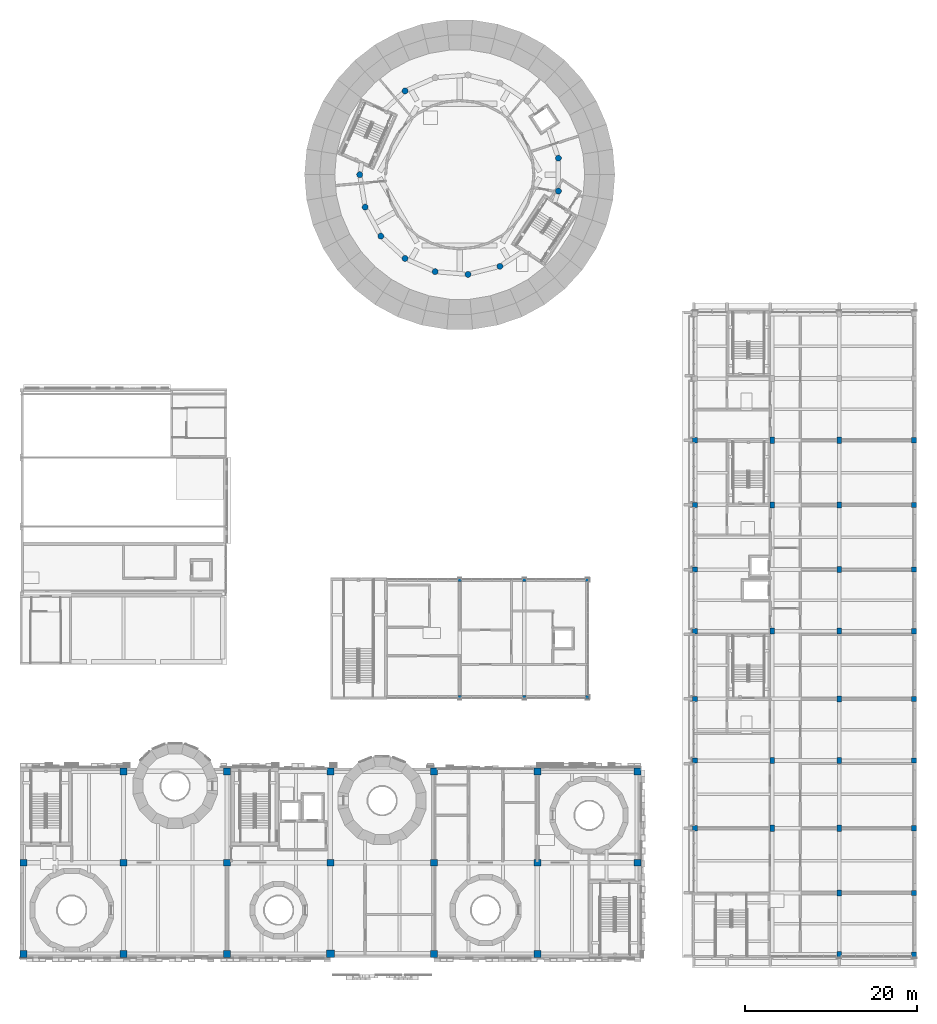
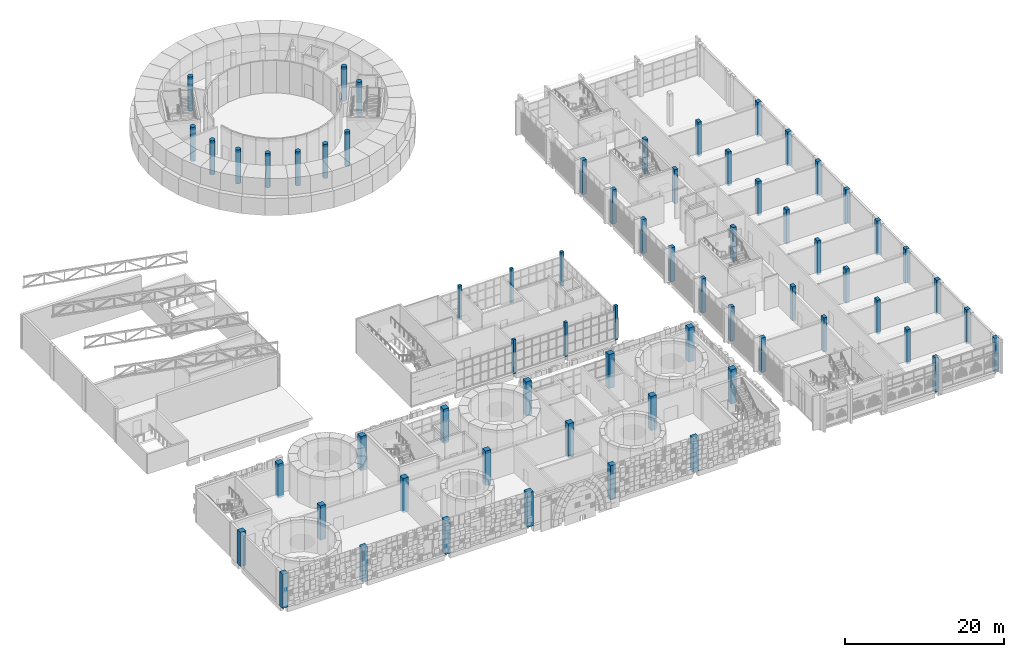
# One storey, part 1 of 125: 65 columns.
"""IFC4 building model written with IfcOpenShell, lengths in metres."""

from ifc_helpers import new_model, si_unit, direction, frame, origin, origin_2d, place, context, subcontext, project, spatial, rectangle, circle, extrude, material, material_profile, profile_set, type_object, element, save


model = new_model("IFC4")

# Units and contexts
model_context = context("Model", 3, precision=1e-05, world=origin(), true_north=direction((0.0, 1.0)))
body_context = subcontext(model_context, "Body", "Model", "MODEL_VIEW")
ifc_project = project(units=[si_unit("LENGTHUNIT", "METRE"), si_unit("AREAUNIT", "SQUARE_METRE"), si_unit("VOLUMEUNIT", "CUBIC_METRE"), si_unit("PLANEANGLEUNIT", "RADIAN"), si_unit("MASSUNIT", "GRAM", prefix="KILO")], contexts=[model_context])

# Site, building, storey
site_placement = place(None, origin())
site = spatial("IfcSite", under=ifc_project, at=site_placement, CompositionType="ELEMENT")
building_placement = place(site_placement, origin())
building = spatial("IfcBuilding", under=site, at=building_placement, Name="Sun Court Science Centre", CompositionType="ELEMENT")
storey_placement = place(building_placement, frame((0.0, 0.0, 6.0)))
storey = spatial("IfcBuildingStorey", under=building, at=storey_placement, Name="L01", CompositionType="ELEMENT", Elevation=6.0)

# Columns
ifc_material_1 = material(Name="Concrete C30/37", Category="concrete")
ifc_material_profile_1 = material_profile(ifc_material_1, rectangle(XDim=0.39990234375, YDim=0.39990234375, at=origin_2d()), Name="RC 400x400")
ifc_profile_set_1 = profile_set([ifc_material_profile_1], Name="Concrete C30/37")
column_type_1 = type_object("IfcColumnType", Name="RC column 400x400", PredefinedType="COLUMN", material=ifc_profile_set_1)
for number, where, z_axis, x_axis, name in (
    (1, (51.0, 36.199951171875, -0.300048828125), (0.0, 0.0, 1.0), (1.0, 0.0, 0.0), "Column 7G L01"),
    (2, (51.0, 49.800048828125, -0.300048828125), (0.0, 0.0, 1.0), (1.0, 0.0, 0.0), "Column 750 L01"),
    (3, (58.5, 36.199951171875, -0.300048828125), (0.0, 0.0, 1.0), (1.0, 0.0, 0.0), "Column 8G L01"),
    (4, (58.5, 49.800048828125, -0.300048828125), (0.0, 0.0, 1.0), (1.0, 0.0, 0.0), "Column 850 L01"),
    (5, (65.800048828125, 36.199951171875, -0.300048828125), (0.0, 0.0, 1.0), (1.0, 0.0, 0.0), "Column 10G L01"),
    (6, (65.800048828125, 49.800048828125, -0.300048828125), (0.0, 0.0, 1.0), (1.0, 0.0, 0.0), "Column 1050 L01"),
):
    element("IfcColumn", number, at=place(storey_placement, frame(where, z_axis=z_axis, x_axis=x_axis)), inside=storey, type_object=column_type_1, Name=name, PredefinedType="COLUMN", context=body_context, shape_type="SweptSolid", body=[
        extrude(rectangle(XDim=0.39990234375, YDim=0.39990234375, at=origin_2d()), origin(), (0.0, 0.0, 1.0), 5.25),
    ])
ifc_material_2 = material(Name="Concrete C30/37", Category="concrete")
ifc_material_profile_2 = material_profile(ifc_material_2, rectangle(XDim=0.5, YDim=0.699951171875, at=origin_2d()), Name="RC 500x700")
ifc_profile_set_2 = profile_set([ifc_material_profile_2], Name="Concrete C30/37")
column_type_2 = type_object("IfcColumnType", Name="RC column 500x700", PredefinedType="COLUMN", material=ifc_profile_set_2)
for number, where, z_axis, x_axis, name in (
    (7, (87.25, 21.0, -0.300048828125), (0.0, 0.0, 1.0), (1.0, 0.0, 0.0), "Column 14D L01"),
    (8, (87.25, 28.85009765625, -0.300048828125), (0.0, 0.0, 1.0), (1.0, 0.0, 0.0), "Column 14F L01"),
    (9, (87.25, 43.85009765625, -0.300048828125), (0.0, 0.0, 1.0), (1.0, 0.0, 0.0), "Column 14J L01"),
    (10, (87.25, 58.5, -0.300048828125), (0.0, 0.0, 1.0), (1.0, 0.0, 0.0), "Column 14P L01"),
    (11, (87.25, 66.0, -0.300048828125), (0.0, 0.0, 1.0), (1.0, 0.0, 0.0), "Column 14R L01"),
    (12, (95.0, 6.35009765625, -0.300048828125), (0.0, 0.0, 1.0), (1.0, 0.0, 0.0), "Column 15A L01"),
    (13, (95.0, 13.5, -0.300048828125), (0.0, 0.0, 1.0), (1.0, 0.0, 0.0), "Column 15B L01"),
    (14, (95.0, 21.0, -0.300048828125), (0.0, 0.0, 1.0), (1.0, 0.0, 0.0), "Column 15D L01"),
    (15, (95.0, 28.85009765625, -0.300048828125), (0.0, 0.0, 1.0), (1.0, 0.0, 0.0), "Column 15F L01"),
    (16, (95.0, 36.0, -0.300048828125), (0.0, 0.0, 1.0), (1.0, 0.0, 0.0), "Column 15G L01"),
    (17, (95.0, 43.85009765625, -0.300048828125), (0.0, 0.0, 1.0), (1.0, 0.0, 0.0), "Column 15J L01"),
    (18, (95.0, 51.0, -0.300048828125), (0.0, 0.0, 1.0), (1.0, 0.0, 0.0), "Column 15M L01"),
    (19, (95.0, 58.5, -0.300048828125), (0.0, 0.0, 1.0), (1.0, 0.0, 0.0), "Column 15P L01"),
    (20, (95.0, 66.0, -0.300048828125), (0.0, 0.0, 1.0), (1.0, 0.0, 0.0), "Column 15R L01"),
):
    element("IfcColumn", number, at=place(storey_placement, frame(where, z_axis=z_axis, x_axis=x_axis)), inside=storey, type_object=column_type_2, Name=name, PredefinedType="COLUMN", context=body_context, shape_type="SweptSolid", body=[
        extrude(rectangle(XDim=0.5, YDim=0.699951171875, at=origin_2d()), origin(), (0.0, 0.0, 1.0), 5.25),
    ])
ifc_material_3 = material(Name="Concrete C30/37", Category="concrete")
ifc_material_profile_3 = material_profile(ifc_material_3, rectangle(XDim=0.60009765625, YDim=0.60009765625, at=origin_2d()), Name="RC 600x600")
ifc_profile_set_3 = profile_set([ifc_material_profile_3], Name="Concrete C30/37")
column_type_3 = type_object("IfcColumnType", Name="RC column 600x600", PredefinedType="COLUMN", material=ifc_profile_set_3)
for number, where, z_axis, x_axis, name in (
    (21, (78.300048828125, 21.0, -0.300048828125), (0.0, 0.0, 1.0), (1.0, 0.0, 0.0), "Column 12D L01"),
    (22, (78.300048828125, 28.85009765625, -0.300048828125), (0.0, 0.0, 1.0), (1.0, 0.0, 0.0), "Column 12F L01"),
    (23, (78.300048828125, 36.0, -0.300048828125), (0.0, 0.0, 1.0), (1.0, 0.0, 0.0), "Column 12G L01"),
    (24, (78.300048828125, 43.85009765625, -0.300048828125), (0.0, 0.0, 1.0), (1.0, 0.0, 0.0), "Column 12J L01"),
    (25, (78.300048828125, 51.0, -0.300048828125), (0.0, 0.0, 1.0), (1.0, 0.0, 0.0), "Column 12M L01"),
    (26, (78.300048828125, 58.5, -0.300048828125), (0.0, 0.0, 1.0), (1.0, 0.0, 0.0), "Column 12P L01"),
    (27, (78.300048828125, 66.0, -0.300048828125), (0.0, 0.0, 1.0), (1.0, 0.0, 0.0), "Column 12R L01"),
    (28, (103.699951171875, 6.35009765625, -0.300048828125), (0.0, 0.0, 1.0), (1.0, 0.0, 0.0), "Column 16A L01"),
    (29, (103.699951171875, 13.5, -0.300048828125), (0.0, 0.0, 1.0), (1.0, 0.0, 0.0), "Column 16B L01"),
    (30, (103.699951171875, 21.0, -0.300048828125), (0.0, 0.0, 1.0), (1.0, 0.0, 0.0), "Column 16D L01"),
    (31, (103.699951171875, 28.85009765625, -0.300048828125), (0.0, 0.0, 1.0), (1.0, 0.0, 0.0), "Column 16F L01"),
    (32, (103.699951171875, 36.0, -0.300048828125), (0.0, 0.0, 1.0), (1.0, 0.0, 0.0), "Column 16G L01"),
    (33, (103.699951171875, 43.85009765625, -0.300048828125), (0.0, 0.0, 1.0), (1.0, 0.0, 0.0), "Column 16J L01"),
    (34, (103.699951171875, 51.0, -0.300048828125), (0.0, 0.0, 1.0), (1.0, 0.0, 0.0), "Column 16M L01"),
    (35, (103.699951171875, 58.5, -0.300048828125), (0.0, 0.0, 1.0), (1.0, 0.0, 0.0), "Column 16P L01"),
    (36, (103.699951171875, 66.0, -0.300048828125), (0.0, 0.0, 1.0), (1.0, 0.0, 0.0), "Column 16R L01"),
):
    element("IfcColumn", number, at=place(storey_placement, frame(where, z_axis=z_axis, x_axis=x_axis)), inside=storey, type_object=column_type_3, Name=name, PredefinedType="COLUMN", context=body_context, shape_type="SweptSolid", body=[
        extrude(rectangle(XDim=0.60009765625, YDim=0.60009765625, at=origin_2d()), origin(), (0.0, 0.0, 1.0), 5.25),
    ])
ifc_material_4 = material(Name="Concrete C30/37", Category="concrete")
ifc_material_profile_4 = material_profile(ifc_material_4, rectangle(XDim=0.800048828125, YDim=0.800048828125, at=origin_2d()), Name="RC 800x800")
ifc_profile_set_4 = profile_set([ifc_material_profile_4], Name="Concrete C30/37")
column_type_4 = type_object("IfcColumnType", Name="RC column 800x800", PredefinedType="COLUMN", material=ifc_profile_set_4)
for number, where, z_axis, x_axis, name in (
    (37, (0.39990234375, 6.39990234375, -0.300048828125), (0.0, 0.0, 1.0), (1.0, 0.0, 0.0), "Column 1A L01"),
    (38, (0.39990234375, 17.0, -0.300048828125), (0.0, 0.0, 1.0), (1.0, 0.0, 0.0), "Column 1C L01"),
    (39, (12.0, 6.39990234375, -0.300048828125), (0.0, 0.0, 1.0), (1.0, 0.0, 0.0), "Column 2A L01"),
    (40, (12.0, 17.0, -0.300048828125), (0.0, 0.0, 1.0), (1.0, 0.0, 0.0), "Column 2C L01"),
    (41, (12.0, 27.60009765625, -0.300048828125), (0.0, 0.0, 1.0), (1.0, 0.0, 0.0), "Column 2E L01"),
    (42, (24.0, 6.39990234375, -0.300048828125), (0.0, 0.0, 1.0), (1.0, 0.0, 0.0), "Column 3A L01"),
    (43, (24.0, 17.0, -0.300048828125), (0.0, 0.0, 1.0), (1.0, 0.0, 0.0), "Column 3C L01"),
    (44, (24.0, 27.60009765625, -0.300048828125), (0.0, 0.0, 1.0), (1.0, 0.0, 0.0), "Column 3E L01"),
    (45, (36.0, 17.0, -0.300048828125), (0.0, 0.0, 1.0), (1.0, 0.0, 0.0), "Column 4C L01"),
    (46, (36.0, 27.60009765625, -0.300048828125), (0.0, 0.0, 1.0), (1.0, 0.0, 0.0), "Column 4E L01"),
    (47, (48.0, 6.39990234375, -0.300048828125), (0.0, 0.0, 1.0), (1.0, 0.0, 0.0), "Column 6A L01"),
    (48, (48.0, 17.0, -0.300048828125), (0.0, 0.0, 1.0), (1.0, 0.0, 0.0), "Column 6C L01"),
    (49, (48.0, 27.60009765625, -0.300048828125), (0.0, 0.0, 1.0), (1.0, 0.0, 0.0), "Column 6E L01"),
    (50, (60.0, 6.39990234375, -0.300048828125), (0.0, 0.0, 1.0), (1.0, 0.0, 0.0), "Column 9A L01"),
    (51, (60.0, 17.0, -0.300048828125), (0.0, 0.0, 1.0), (1.0, 0.0, 0.0), "Column 9C L01"),
    (52, (60.0, 27.60009765625, -0.300048828125), (0.0, 0.0, 1.0), (1.0, 0.0, 0.0), "Column 9E L01"),
    (53, (71.60009765625, 17.0, -0.300048828125), (0.0, 0.0, 1.0), (1.0, 0.0, 0.0), "Column 11C L01"),
    (54, (71.60009765625, 27.60009765625, -0.300048828125), (0.0, 0.0, 1.0), (1.0, 0.0, 0.0), "Column 11E L01"),
):
    element("IfcColumn", number, at=place(storey_placement, frame(where, z_axis=z_axis, x_axis=x_axis)), inside=storey, type_object=column_type_4, Name=name, PredefinedType="COLUMN", context=body_context, shape_type="SweptSolid", body=[
        extrude(rectangle(XDim=0.800048828125, YDim=0.800048828125, at=origin_2d()), origin(), (0.0, 0.0, 1.0), 5.25),
    ])
ifc_material_5 = material(Name="Concrete C30/37", Category="concrete")
ifc_material_profile_5 = material_profile(ifc_material_5, rectangle(XDim=0.89990234375, YDim=0.89990234375, at=origin_2d()), Name="RC 900x900")
ifc_profile_set_5 = profile_set([ifc_material_profile_5], Name="Concrete C30/37")
column_type_5 = type_object("IfcColumnType", Name="RC column 900x900", PredefinedType="COLUMN", material=ifc_profile_set_5)
column_placement = place(storey_placement, frame((36.0, 6.449951171875, -0.300048828125), z_axis=(0.0, 0.0, 1.0), x_axis=(1.0, 0.0, 0.0)))
element("IfcColumn", 55, at=column_placement, inside=storey, type_object=column_type_5, Name="Column 4A L01", PredefinedType="COLUMN", context=body_context, shape_type="SweptSolid", body=[
    extrude(rectangle(XDim=0.89990234375, YDim=0.89990234375, at=origin_2d()), origin(), (0.0, 0.0, 1.0), 5.25),
])
ifc_material_6 = material(Name="Concrete C30/37", Category="concrete")
ifc_material_profile_6 = material_profile(ifc_material_6, circle(Radius=0.35009765625, at=origin_2d()), Name="RC D700")
ifc_profile_set_6 = profile_set([ifc_material_profile_6], Name="Concrete C30/37")
column_type_6 = type_object("IfcColumnType", Name="RC column D700", PredefinedType="COLUMN", material=ifc_profile_set_6)
for number, where, z_axis, x_axis, name in (
    (56, (62.44189453125, 98.709228515625, -0.300048828125), (0.0, 0.0, 1.0), (1.0, 0.0, 0.0), "Column B01 L01"),
    (57, (44.655517578125, 106.51123046875, -0.300048828125), (0.0, 0.0, 1.0), (1.0, 0.0, 0.0), "Column B07 L01"),
    (58, (39.39990234375, 96.800048828125, -0.300048828125), (0.0, 0.0, 1.0), (1.0, 0.0, 0.0), "Column B10 L01"),
    (59, (40.028564453125, 93.033447265625, -0.300048828125), (0.0, 0.0, 1.0), (1.0, 0.0, 0.0), "Column B11 L01"),
    (60, (41.845947265625, 89.675048828125, -0.300048828125), (0.0, 0.0, 1.0), (1.0, 0.0, 0.0), "Column B12 L01"),
    (61, (44.655517578125, 87.0888671875, -0.300048828125), (0.0, 0.0, 1.0), (1.0, 0.0, 0.0), "Column B13 L01"),
    (62, (48.15234375, 85.554931640625, -0.300048828125), (0.0, 0.0, 1.0), (1.0, 0.0, 0.0), "Column B14 L01"),
    (63, (51.9580078125, 85.239501953125, -0.300048828125), (0.0, 0.0, 1.0), (1.0, 0.0, 0.0), "Column B15 L01"),
    (64, (55.65966796875, 86.177001953125, -0.300048828125), (0.0, 0.0, 1.0), (1.0, 0.0, 0.0), "Column B16 L01"),
    (65, (62.44189453125, 94.890625, -0.300048828125), (0.0, 0.0, 1.0), (1.0, 0.0, 0.0), "Column B19 L01"),
):
    element("IfcColumn", number, at=place(storey_placement, frame(where, z_axis=z_axis, x_axis=x_axis)), inside=storey, type_object=column_type_6, Name=name, PredefinedType="COLUMN", context=body_context, shape_type="SweptSolid", body=[
        extrude(circle(Radius=0.35009765625, at=origin_2d()), origin(), (0.0, 0.0, 1.0), 5.25),
    ])

save(model, "model.ifc")
